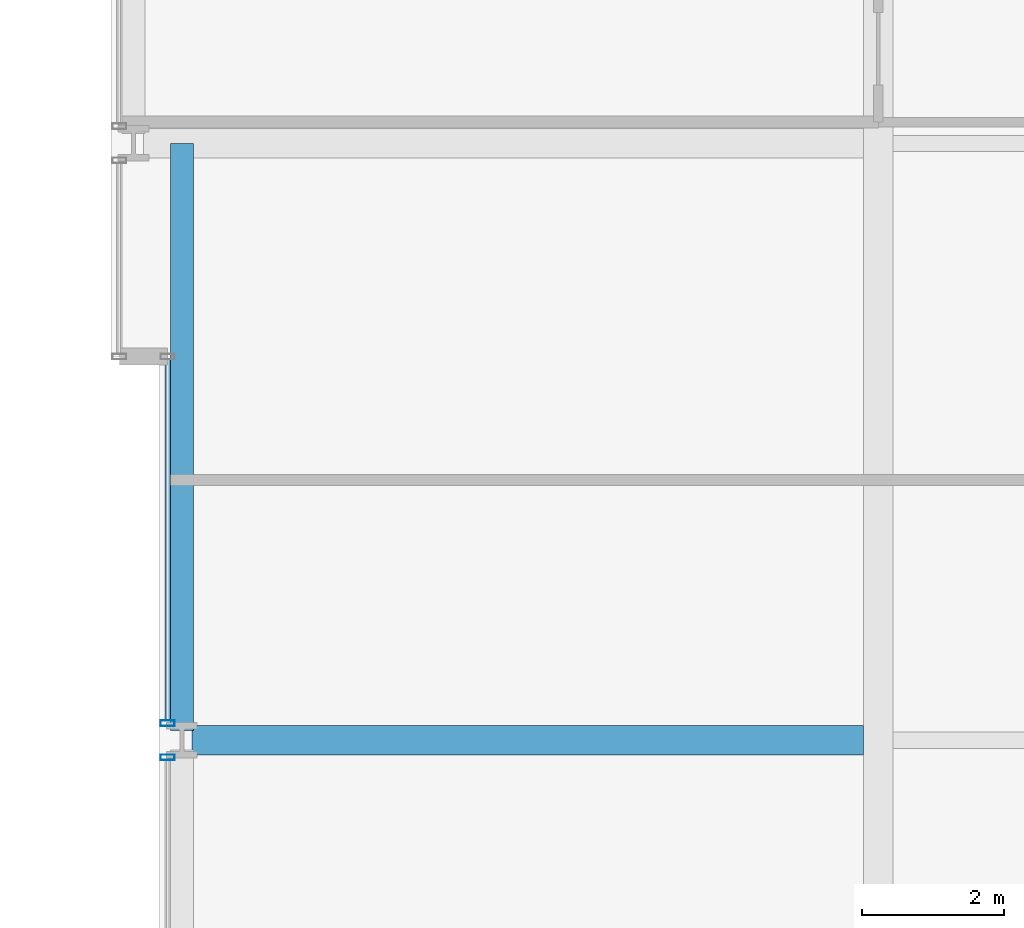
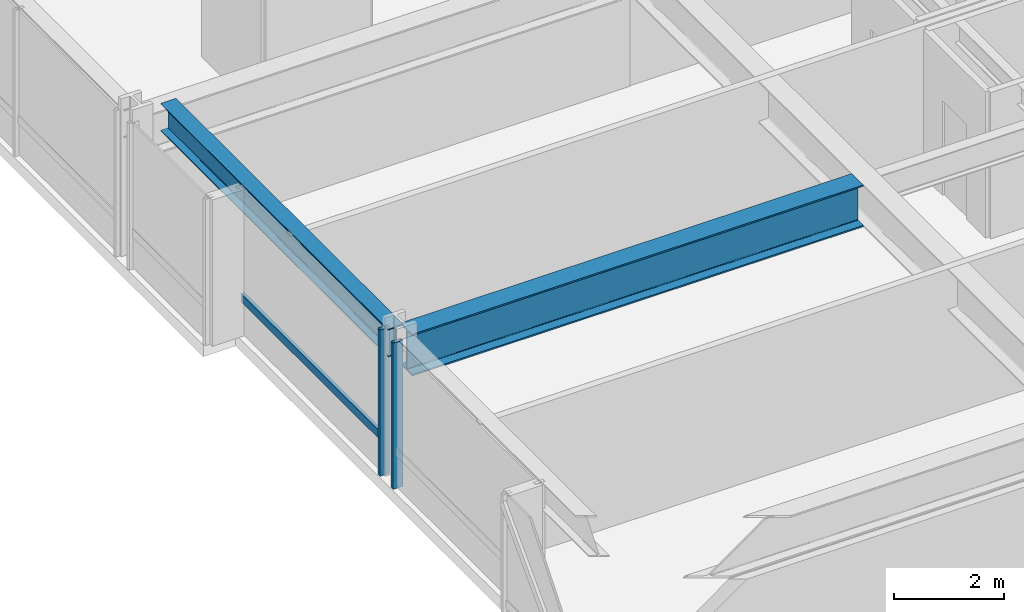
# One storey, part 9 of 39: 3 members, 2 beams, 2 elements without a shape of their own.
"""IFC4 building model written with IfcOpenShell, lengths in metres."""

from ifc_helpers import new_model, si_unit, direction, frame, origin, origin_2d, place, context, subcontext, project, spatial, hollow_rectangle, i_section, extrude, material, layer, layer_set, material_profile, profile_set, type_object, element, aggregate, save


model = new_model("IFC4")

# Units and contexts
model_context = context("Model", 3, precision=1e-05, world=origin(), true_north=direction((0.0, 1.0)))
body_context = subcontext(model_context, "Body", "Model", "MODEL_VIEW")
ifc_project = project(units=[si_unit("LENGTHUNIT", "METRE"), si_unit("AREAUNIT", "SQUARE_METRE"), si_unit("VOLUMEUNIT", "CUBIC_METRE"), si_unit("PLANEANGLEUNIT", "RADIAN"), si_unit("MASSUNIT", "GRAM", prefix="KILO")], contexts=[model_context])

# Site, building, storey
site_placement = place(None, origin())
site = spatial("IfcSite", under=ifc_project, at=site_placement, CompositionType="ELEMENT")
building_placement = place(site_placement, origin())
building = spatial("IfcBuilding", under=site, at=building_placement, Name="Drelvath Grand Hotel", CompositionType="ELEMENT")
storey_placement = place(building_placement, frame((0.0, 0.0, 54.199951171875)))
storey = spatial("IfcBuildingStorey", under=building, at=storey_placement, Name="L12", CompositionType="ELEMENT", Elevation=54.199951171875)

# Curtain wall, member
ifc_material_1 = material(Name="Warm Bronze Anodised Aluminium Frame", Category="aluminium")
ifc_layer = layer(ifc_material_1, 0.199951171875)
ifc_layer_set = layer_set([ifc_layer], Name="Warm Bronze Anodised Aluminium Frame")
curtain_wall_type = type_object("IfcCurtainWallType", Name="Stick Curtain Wall CW-02 Warm Bronze Low-Rise", PredefinedType="NOTDEFINED", material=ifc_layer_set)
curtain_wall_1_placement = place(storey_placement, origin())
curtain_wall_1 = element("IfcCurtainWall", 1, at=curtain_wall_1_placement, inside=storey, type_object=curtain_wall_type, Name="L12 CW-02 Curtain Wall CW02-L12-WM2", PredefinedType="NOTDEFINED")
ifc_material_profile_1 = material_profile(ifc_material_1, hollow_rectangle(XDim=0.074951171875, YDim=0.179931640625, WallThickness=0.0048828125, at=origin_2d()), Name="HSS180X75X5")
ifc_profile_set_1 = profile_set([ifc_material_profile_1], Name="Warm Bronze Anodised Aluminium Frame")
member_type_1 = type_object("IfcMemberType", Name="Curtain Wall Horizontal Transom CW-02 HSS180X75X5", PredefinedType="USERDEFINED", material=ifc_profile_set_1)
member_1_placement = place(storey_placement, frame((-26.199951171875, 27.281005859375, 0.81005859375), z_axis=(0.0, 1.0, 0.0), x_axis=(-1.0, 0.0, 0.0)))
member_1 = element("IfcMember", 2, at=member_1_placement, type_object=member_type_1, Name="CW02-L12-WM2 Sill Transom", ObjectType="TRANSOM", PredefinedType="USERDEFINED", context=body_context, shape_type="SweptSolid", body=[
    extrude(hollow_rectangle(XDim=0.074951171875, YDim=0.179931640625, WallThickness=0.0048828125, at=origin_2d()), origin(), (0.0, 0.0, 1.0), 5.0791015625),
])

curtain_wall_2_placement = place(storey_placement, origin())
curtain_wall_2 = element("IfcCurtainWall", 3, at=curtain_wall_2_placement, inside=storey, type_object=curtain_wall_type, Name="L12 CW-02 Curtain Wall CW02-L12-WM1", PredefinedType="NOTDEFINED")
ifc_material_profile_2 = material_profile(ifc_material_1, hollow_rectangle(XDim=0.080078125, YDim=0.199951171875, WallThickness=0.0048828125, at=origin_2d()), Name="HSS200X80X5")
ifc_profile_set_2 = profile_set([ifc_material_profile_2], Name="Warm Bronze Anodised Aluminium Frame")
member_type_2 = type_object("IfcMemberType", Name="Curtain Wall Vertical Mullion CW-02 HSS200X80X5", PredefinedType="MULLION", material=ifc_profile_set_2)
member_2_placement = place(storey_placement, frame((-26.199951171875, 26.759033203125, 0.0), z_axis=(0.0, 0.0, 1.0), x_axis=(0.0, 1.0, 0.0)))
member_2 = element("IfcMember", 4, at=member_2_placement, type_object=member_type_2, Name="CW02-L12-WM1 Mullion 2", PredefinedType="MULLION", context=body_context, shape_type="SweptSolid", body=[
    extrude(hollow_rectangle(XDim=0.080078125, YDim=0.199951171875, WallThickness=0.0048828125, at=origin_2d()), origin(), (0.0, 0.0, 1.0), 3.239990234375),
])
aggregate(curtain_wall_2, [member_2])

# Member
member_3_placement = place(storey_placement, frame((-26.199951171875, 27.240966796875, 0.0), z_axis=(0.0, 0.0, 1.0), x_axis=(0.0, 1.0, 0.0)))
member_3 = element("IfcMember", 5, at=member_3_placement, type_object=member_type_2, Name="CW02-L12-WM2 Mullion 1", PredefinedType="MULLION", context=body_context, shape_type="SweptSolid", body=[
    extrude(hollow_rectangle(XDim=0.080078125, YDim=0.199951171875, WallThickness=0.0048828125, at=origin_2d()), origin(), (0.0, 0.0, 1.0), 3.239990234375),
])

aggregate(curtain_wall_1, [member_3, member_1])

# Beams
ifc_material_2 = material(Name="Steel ASTM A992 Gr 50", Category="steel")
ifc_material_profile_3 = material_profile(ifc_material_2, i_section(OverallWidth=0.323974609375, OverallDepth=0.611083984375, WebThickness=0.0126953125, FlangeThickness=0.01904296875, FilletRadius=0.02197265625, at=origin_2d()), Name="W24X104")
ifc_profile_set_3 = profile_set([ifc_material_profile_3], Name="Steel ASTM A992 Gr 50")
beam_type_1 = type_object("IfcBeamType", Name="Perimeter Spandrel Beam W24X104", PredefinedType="SPANDREL", material=ifc_profile_set_3)
beam_1_placement = place(storey_placement, frame((-26.0, 27.139892578125, 2.9345703125), z_axis=(0.0, 1.0, 0.0), x_axis=(-1.0, 0.0, 0.0)))
element("IfcBeam", 6, at=beam_1_placement, inside=storey, type_object=beam_type_1, Name="L12 Spandrel West Mid N", PredefinedType="SPANDREL", context=body_context, shape_type="SweptSolid", body=[
    extrude(i_section(OverallWidth=0.323974609375, OverallDepth=0.611083984375, WebThickness=0.0126953125, FlangeThickness=0.01904296875, FilletRadius=0.02197265625, at=origin_2d()), origin(), (0.0, 0.0, 1.0), 8.260009765625),
])
ifc_material_profile_4 = material_profile(ifc_material_2, i_section(OverallWidth=0.418212890625, OverallDepth=0.926513671875, WebThickness=0.019287109375, FlangeThickness=0.031982421875, FilletRadius=0.028076171875, at=origin_2d()), Name="W36X231")
ifc_profile_set_4 = profile_set([ifc_material_profile_4], Name="Steel ASTM A992 Gr 50")
beam_type_2 = type_object("IfcBeamType", Name="Primary Floor Girder W36X231", PredefinedType="BEAM", material=ifc_profile_set_4)
beam_2_placement = place(storey_placement, frame((-25.860107421875, 27.0, 2.77685546875), z_axis=(1.0, 0.0, 0.0), x_axis=(0.0, 1.0, 0.0)))
element("IfcBeam", 7, at=beam_2_placement, inside=storey, type_object=beam_type_2, Name="L12 West Wing Girder E", PredefinedType="BEAM", context=body_context, shape_type="SweptSolid", body=[
    extrude(i_section(OverallWidth=0.418212890625, OverallDepth=0.926513671875, WebThickness=0.019287109375, FlangeThickness=0.031982421875, FilletRadius=0.028076171875, at=origin_2d()), origin(), (0.0, 0.0, 1.0), 9.450927734375),
])

save(model, "model.ifc")
